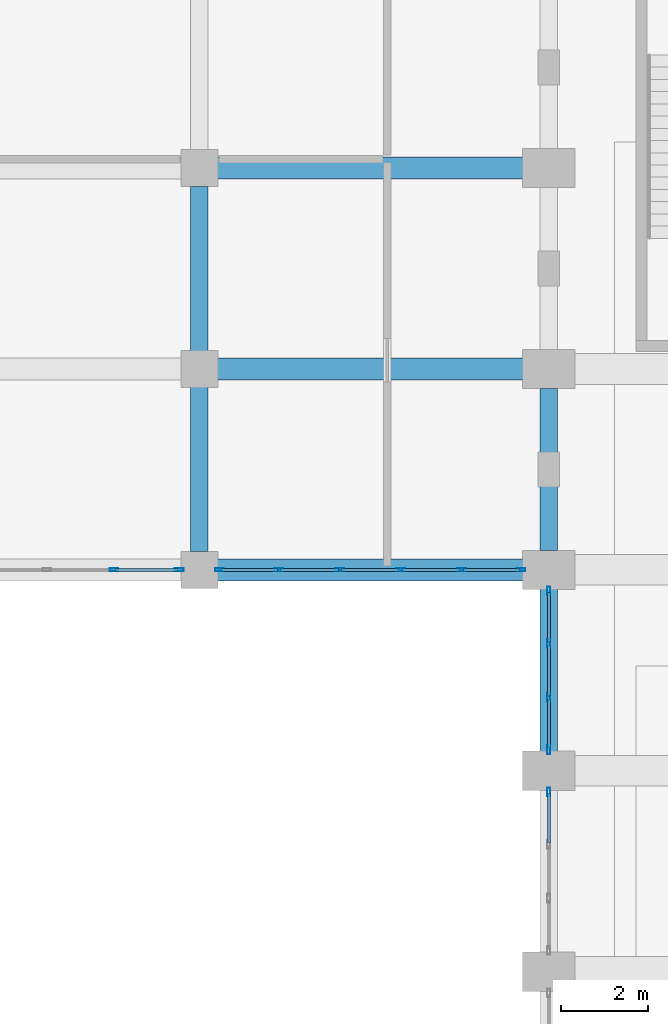
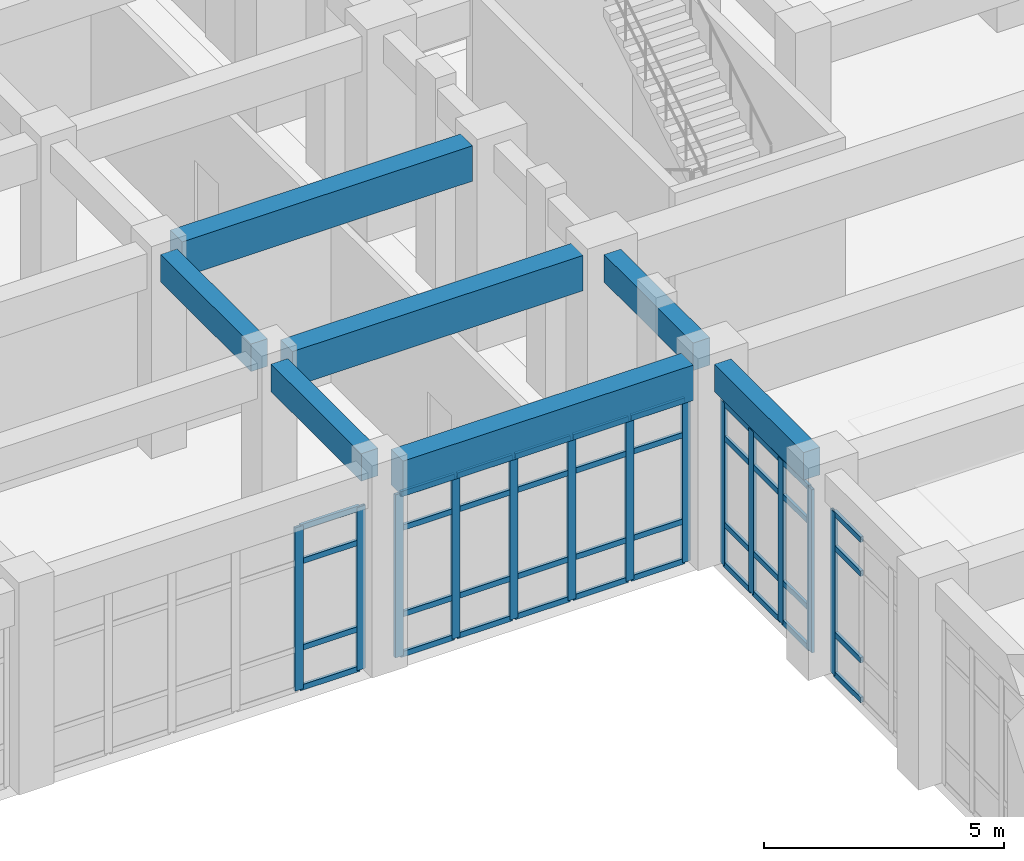
# One storey, part 24 of 84: 53 members, 7 beams, 4 elements without a shape of their own.
"""IFC4 building model written with IfcOpenShell, lengths in metres."""

from ifc_helpers import new_model, si_unit, direction, frame, origin, origin_2d, place, context, subcontext, project, spatial, rectangle, hollow_rectangle, extrude, material, layer, layer_set, material_profile, profile_set, type_object, element, aggregate, save


model = new_model("IFC4")

# Units and contexts
model_context = context("Model", 3, precision=1e-05, world=origin(), true_north=direction((0.0, 1.0)))
body_context = subcontext(model_context, "Body", "Model", "MODEL_VIEW")
ifc_project = project(units=[si_unit("LENGTHUNIT", "METRE"), si_unit("AREAUNIT", "SQUARE_METRE"), si_unit("VOLUMEUNIT", "CUBIC_METRE"), si_unit("PLANEANGLEUNIT", "RADIAN"), si_unit("MASSUNIT", "GRAM", prefix="KILO")], contexts=[model_context])

# Site, building, storey
site_placement = place(None, origin())
site = spatial("IfcSite", under=ifc_project, at=site_placement, CompositionType="ELEMENT")
building_placement = place(site_placement, origin())
building = spatial("IfcBuilding", under=site, at=building_placement, Name="Muzn Square Opera House", CompositionType="ELEMENT")
storey_placement = place(building_placement, origin())
storey = spatial("IfcBuildingStorey", under=building, at=storey_placement, Name="L00", CompositionType="ELEMENT", Elevation=0.0)

# Curtain wall, member
ifc_material_1 = material(Name="Low-E laminated acoustic double glazing", Category="glass")
ifc_layer_1 = layer(ifc_material_1, 0.159912109375, Name="Low-E laminated acoustic double glazing", Category="glass")
ifc_layer_set_1 = layer_set([ifc_layer_1], Name="Low-E laminated acoustic double glazing")
curtain_wall_type_1 = type_object("IfcCurtainWallType", Name="Glazed Curtain Wall WestVaultCourt 3700x4150", PredefinedType="USERDEFINED", material=ifc_layer_set_1)
curtain_wall_1_placement = place(storey_placement, origin())
curtain_wall_1 = element("IfcCurtainWall", 1, at=curtain_wall_1_placement, inside=storey, type_object=curtain_wall_type_1, Name="Glazed Curtain Wall CW-L00-035", ObjectType="GLAZED CURTAIN WALL", PredefinedType="USERDEFINED")
ifc_material_2 = material(Name="Anodised bronze aluminium 6063-T6", Category="metal")
ifc_material_profile_1 = material_profile(ifc_material_2, hollow_rectangle(XDim=0.070068359375, YDim=0.199951171875, WallThickness=0.0048828125, at=origin_2d()), Name="ALU 200x70x5", Category="metal")
ifc_profile_set_1 = profile_set([ifc_material_profile_1], Name="Anodised bronze aluminium 6063-T6")
member_type_1 = type_object("IfcMemberType", Name="Curtain Wall Mullion 200x70", PredefinedType="MULLION", material=ifc_profile_set_1)
member_1_placement = place(storey_placement, frame((43.0, 49.114990234375, 0.0), z_axis=(0.0, 0.0, 1.0), x_axis=(-1.0, 0.0, 0.0)))
member_1 = element("IfcMember", 2, at=member_1_placement, type_object=member_type_1, Name="CW-WVC-37x41 mullion 4", PredefinedType="MULLION", context=body_context, shape_type="SweptSolid", body=[
    extrude(hollow_rectangle(XDim=0.070068359375, YDim=0.199951171875, WallThickness=0.0048828125, at=origin_2d()), origin(), (0.0, 0.0, 1.0), 4.14990234375),
])

# Curtain wall, members
curtain_wall_2_placement = place(storey_placement, origin())
curtain_wall_2 = element("IfcCurtainWall", 3, at=curtain_wall_2_placement, inside=storey, type_object=curtain_wall_type_1, Name="Glazed Curtain Wall CW-L00-037", ObjectType="GLAZED CURTAIN WALL", PredefinedType="USERDEFINED")
member_2_placement = place(storey_placement, frame((43.0, 50.0849609375, 0.0), z_axis=(0.0, 0.0, 1.0), x_axis=(-1.0, 0.0, 0.0)))
member_2 = element("IfcMember", 4, at=member_2_placement, type_object=member_type_1, Name="CW-WVC-37x41 mullion 1", PredefinedType="MULLION", context=body_context, shape_type="SweptSolid", body=[
    extrude(hollow_rectangle(XDim=0.070068359375, YDim=0.199951171875, WallThickness=0.0048828125, at=origin_2d()), origin(), (0.0, 0.0, 1.0), 4.14990234375),
])
member_3_placement = place(storey_placement, frame((43.0, 51.283447265625, 0.0), z_axis=(0.0, 0.0, 1.0), x_axis=(-1.0, 0.0, 0.0)))
member_3 = element("IfcMember", 5, at=member_3_placement, type_object=member_type_1, Name="CW-WVC-37x41 mullion 2", PredefinedType="MULLION", context=body_context, shape_type="SweptSolid", body=[
    extrude(hollow_rectangle(XDim=0.070068359375, YDim=0.199951171875, WallThickness=0.0048828125, at=origin_2d()), origin(), (0.0, 0.0, 1.0), 4.14990234375),
])
member_4_placement = place(storey_placement, frame((43.0, 52.5166015625, 0.0), z_axis=(0.0, 0.0, 1.0), x_axis=(-1.0, 0.0, 0.0)))
member_4 = element("IfcMember", 6, at=member_4_placement, type_object=member_type_1, Name="CW-WVC-37x41 mullion 3", PredefinedType="MULLION", context=body_context, shape_type="SweptSolid", body=[
    extrude(hollow_rectangle(XDim=0.070068359375, YDim=0.199951171875, WallThickness=0.0048828125, at=origin_2d()), origin(), (0.0, 0.0, 1.0), 4.14990234375),
])
member_5_placement = place(storey_placement, frame((43.0, 53.715087890625, 0.0), z_axis=(0.0, 0.0, 1.0), x_axis=(-1.0, 0.0, 0.0)))
member_5 = element("IfcMember", 7, at=member_5_placement, type_object=member_type_1, Name="CW-WVC-37x41 mullion 4", PredefinedType="MULLION", context=body_context, shape_type="SweptSolid", body=[
    extrude(hollow_rectangle(XDim=0.070068359375, YDim=0.199951171875, WallThickness=0.0048828125, at=origin_2d()), origin(), (0.0, 0.0, 1.0), 4.14990234375),
])

ifc_layer_2 = layer(ifc_material_1, 0.159912109375, Name="Low-E laminated acoustic double glazing", Category="glass")
ifc_layer_set_2 = layer_set([ifc_layer_2], Name="Low-E laminated acoustic double glazing")
curtain_wall_type_2 = type_object("IfcCurtainWallType", Name="Glazed Curtain Wall WestCloisterN 7650x4150", PredefinedType="USERDEFINED", material=ifc_layer_set_2)
curtain_wall_3_placement = place(storey_placement, origin())
curtain_wall_3 = element("IfcCurtainWall", 8, at=curtain_wall_3_placement, inside=storey, type_object=curtain_wall_type_2, Name="Glazed Curtain Wall CW-L00-072", ObjectType="GLAZED CURTAIN WALL", PredefinedType="USERDEFINED")
member_6_placement = place(storey_placement, frame((33.044921875, 54.199951171875, 0.0), z_axis=(0.0, 0.0, 1.0), x_axis=(0.0, 1.0, 0.0)))
member_6 = element("IfcMember", 9, at=member_6_placement, type_object=member_type_1, Name="CW-WCN-76x41 mullion 5", PredefinedType="MULLION", context=body_context, shape_type="SweptSolid", body=[
    extrude(hollow_rectangle(XDim=0.070068359375, YDim=0.199951171875, WallThickness=0.0048828125, at=origin_2d()), origin(), (0.0, 0.0, 1.0), 4.14990234375),
])
member_7_placement = place(storey_placement, frame((34.5400390625, 54.199951171875, 0.0), z_axis=(0.0, 0.0, 1.0), x_axis=(0.0, 1.0, 0.0)))
member_7 = element("IfcMember", 10, at=member_7_placement, type_object=member_type_1, Name="CW-WCN-76x41 mullion 6", PredefinedType="MULLION", context=body_context, shape_type="SweptSolid", body=[
    extrude(hollow_rectangle(XDim=0.070068359375, YDim=0.199951171875, WallThickness=0.0048828125, at=origin_2d()), origin(), (0.0, 0.0, 1.0), 4.14990234375),
])

ifc_layer_3 = layer(ifc_material_1, 0.159912109375, Name="Low-E laminated acoustic double glazing", Category="glass")
ifc_layer_set_3 = layer_set([ifc_layer_3], Name="Low-E laminated acoustic double glazing")
curtain_wall_type_3 = type_object("IfcCurtainWallType", Name="Glazed Curtain Wall WestCloisterN 6975x4150", PredefinedType="USERDEFINED", material=ifc_layer_set_3)
curtain_wall_4_placement = place(storey_placement, origin())
curtain_wall_4 = element("IfcCurtainWall", 11, at=curtain_wall_4_placement, inside=storey, type_object=curtain_wall_type_3, Name="Glazed Curtain Wall CW-L00-074", ObjectType="GLAZED CURTAIN WALL", PredefinedType="USERDEFINED")
member_8_placement = place(storey_placement, frame((35.4599609375, 54.199951171875, 0.0), z_axis=(0.0, 0.0, 1.0), x_axis=(0.0, 1.0, 0.0)))
member_8 = element("IfcMember", 12, at=member_8_placement, type_object=member_type_1, Name="CW-WCN-69x41 mullion 1", PredefinedType="MULLION", context=body_context, shape_type="SweptSolid", body=[
    extrude(hollow_rectangle(XDim=0.070068359375, YDim=0.199951171875, WallThickness=0.0048828125, at=origin_2d()), origin(), (0.0, 0.0, 1.0), 4.14990234375),
])
member_9_placement = place(storey_placement, frame((36.820068359375, 54.199951171875, 0.0), z_axis=(0.0, 0.0, 1.0), x_axis=(0.0, 1.0, 0.0)))
member_9 = element("IfcMember", 13, at=member_9_placement, type_object=member_type_1, Name="CW-WCN-69x41 mullion 2", PredefinedType="MULLION", context=body_context, shape_type="SweptSolid", body=[
    extrude(hollow_rectangle(XDim=0.070068359375, YDim=0.199951171875, WallThickness=0.0048828125, at=origin_2d()), origin(), (0.0, 0.0, 1.0), 4.14990234375),
])
member_10_placement = place(storey_placement, frame((38.215087890625, 54.199951171875, 0.0), z_axis=(0.0, 0.0, 1.0), x_axis=(0.0, 1.0, 0.0)))
member_10 = element("IfcMember", 14, at=member_10_placement, type_object=member_type_1, Name="CW-WCN-69x41 mullion 3", PredefinedType="MULLION", context=body_context, shape_type="SweptSolid", body=[
    extrude(hollow_rectangle(XDim=0.070068359375, YDim=0.199951171875, WallThickness=0.0048828125, at=origin_2d()), origin(), (0.0, 0.0, 1.0), 4.14990234375),
])
member_11_placement = place(storey_placement, frame((39.610107421875, 54.199951171875, 0.0), z_axis=(0.0, 0.0, 1.0), x_axis=(0.0, 1.0, 0.0)))
member_11 = element("IfcMember", 15, at=member_11_placement, type_object=member_type_1, Name="CW-WCN-69x41 mullion 4", PredefinedType="MULLION", context=body_context, shape_type="SweptSolid", body=[
    extrude(hollow_rectangle(XDim=0.070068359375, YDim=0.199951171875, WallThickness=0.0048828125, at=origin_2d()), origin(), (0.0, 0.0, 1.0), 4.14990234375),
])
member_12_placement = place(storey_placement, frame((41.0048828125, 54.199951171875, 0.0), z_axis=(0.0, 0.0, 1.0), x_axis=(0.0, 1.0, 0.0)))
member_12 = element("IfcMember", 16, at=member_12_placement, type_object=member_type_1, Name="CW-WCN-69x41 mullion 5", PredefinedType="MULLION", context=body_context, shape_type="SweptSolid", body=[
    extrude(hollow_rectangle(XDim=0.070068359375, YDim=0.199951171875, WallThickness=0.0048828125, at=origin_2d()), origin(), (0.0, 0.0, 1.0), 4.14990234375),
])
member_13_placement = place(storey_placement, frame((42.364990234375, 54.199951171875, 0.0), z_axis=(0.0, 0.0, 1.0), x_axis=(0.0, 1.0, 0.0)))
member_13 = element("IfcMember", 17, at=member_13_placement, type_object=member_type_1, Name="CW-WCN-69x41 mullion 6", PredefinedType="MULLION", context=body_context, shape_type="SweptSolid", body=[
    extrude(hollow_rectangle(XDim=0.070068359375, YDim=0.199951171875, WallThickness=0.0048828125, at=origin_2d()), origin(), (0.0, 0.0, 1.0), 4.14990234375),
])

# Member
ifc_material_profile_2 = material_profile(ifc_material_2, hollow_rectangle(XDim=0.070068359375, YDim=0.139892578125, WallThickness=0.00390625, at=origin_2d()), Name="ALU 140x70x4", Category="metal")
ifc_profile_set_2 = profile_set([ifc_material_profile_2], Name="Anodised bronze aluminium 6063-T6")
member_type_2 = type_object("IfcMemberType", Name="Curtain Wall Transom 140x70", PredefinedType="USERDEFINED", material=ifc_profile_set_2)
member_14_placement = place(storey_placement, frame((43.0, 47.95166015625, 0.034912109375), z_axis=(0.0, 1.0, 0.0), x_axis=(-1.0, 0.0, 0.0)))
member_14 = element("IfcMember", 18, at=member_14_placement, type_object=member_type_2, Name="CW-WVC-37x41 transom 3.1", ObjectType="TRANSOM", PredefinedType="USERDEFINED", context=body_context, shape_type="SweptSolid", body=[
    extrude(hollow_rectangle(XDim=0.070068359375, YDim=0.139892578125, WallThickness=0.00390625, at=origin_2d()), origin(), (0.0, 0.0, 1.0), 1.12841796875),
])

member_15_placement = place(storey_placement, frame((43.0, 47.95166015625, 1.050048828125), z_axis=(0.0, 1.0, 0.0), x_axis=(-1.0, 0.0, 0.0)))
member_15 = element("IfcMember", 19, at=member_15_placement, type_object=member_type_2, Name="CW-WVC-37x41 transom 3.2", ObjectType="TRANSOM", PredefinedType="USERDEFINED", context=body_context, shape_type="SweptSolid", body=[
    extrude(hollow_rectangle(XDim=0.070068359375, YDim=0.139892578125, WallThickness=0.00390625, at=origin_2d()), origin(), (0.0, 0.0, 1.0), 1.12841796875),
])

member_16_placement = place(storey_placement, frame((43.0, 47.95166015625, 3.25), z_axis=(0.0, 1.0, 0.0), x_axis=(-1.0, 0.0, 0.0)))
member_16 = element("IfcMember", 20, at=member_16_placement, type_object=member_type_2, Name="CW-WVC-37x41 transom 3.3", ObjectType="TRANSOM", PredefinedType="USERDEFINED", context=body_context, shape_type="SweptSolid", body=[
    extrude(hollow_rectangle(XDim=0.070068359375, YDim=0.139892578125, WallThickness=0.00390625, at=origin_2d()), origin(), (0.0, 0.0, 1.0), 1.12841796875),
])

member_17_placement = place(storey_placement, frame((43.0, 47.95166015625, 4.114990234375), z_axis=(0.0, 1.0, 0.0), x_axis=(-1.0, 0.0, 0.0)))
member_17 = element("IfcMember", 21, at=member_17_placement, type_object=member_type_2, Name="CW-WVC-37x41 transom 3.4", ObjectType="TRANSOM", PredefinedType="USERDEFINED", context=body_context, shape_type="SweptSolid", body=[
    extrude(hollow_rectangle(XDim=0.070068359375, YDim=0.139892578125, WallThickness=0.00390625, at=origin_2d()), origin(), (0.0, 0.0, 1.0), 1.12841796875),
])

aggregate(curtain_wall_1, [member_1, member_14, member_15, member_16, member_17])

member_18_placement = place(storey_placement, frame((43.0, 50.1201171875, 0.034912109375), z_axis=(0.0, 1.0, 0.0), x_axis=(-1.0, 0.0, 0.0)))
member_18 = element("IfcMember", 22, at=member_18_placement, type_object=member_type_2, Name="CW-WVC-37x41 transom 1.1", ObjectType="TRANSOM", PredefinedType="USERDEFINED", context=body_context, shape_type="SweptSolid", body=[
    extrude(hollow_rectangle(XDim=0.070068359375, YDim=0.139892578125, WallThickness=0.00390625, at=origin_2d()), origin(), (0.0, 0.0, 1.0), 1.128173828125),
])

member_19_placement = place(storey_placement, frame((43.0, 50.1201171875, 1.050048828125), z_axis=(0.0, 1.0, 0.0), x_axis=(-1.0, 0.0, 0.0)))
member_19 = element("IfcMember", 23, at=member_19_placement, type_object=member_type_2, Name="CW-WVC-37x41 transom 1.2", ObjectType="TRANSOM", PredefinedType="USERDEFINED", context=body_context, shape_type="SweptSolid", body=[
    extrude(hollow_rectangle(XDim=0.070068359375, YDim=0.139892578125, WallThickness=0.00390625, at=origin_2d()), origin(), (0.0, 0.0, 1.0), 1.128173828125),
])

member_20_placement = place(storey_placement, frame((43.0, 50.1201171875, 3.25), z_axis=(0.0, 1.0, 0.0), x_axis=(-1.0, 0.0, 0.0)))
member_20 = element("IfcMember", 24, at=member_20_placement, type_object=member_type_2, Name="CW-WVC-37x41 transom 1.3", ObjectType="TRANSOM", PredefinedType="USERDEFINED", context=body_context, shape_type="SweptSolid", body=[
    extrude(hollow_rectangle(XDim=0.070068359375, YDim=0.139892578125, WallThickness=0.00390625, at=origin_2d()), origin(), (0.0, 0.0, 1.0), 1.128173828125),
])

member_21_placement = place(storey_placement, frame((43.0, 50.1201171875, 4.114990234375), z_axis=(0.0, 1.0, 0.0), x_axis=(-1.0, 0.0, 0.0)))
member_21 = element("IfcMember", 25, at=member_21_placement, type_object=member_type_2, Name="CW-WVC-37x41 transom 1.4", ObjectType="TRANSOM", PredefinedType="USERDEFINED", context=body_context, shape_type="SweptSolid", body=[
    extrude(hollow_rectangle(XDim=0.070068359375, YDim=0.139892578125, WallThickness=0.00390625, at=origin_2d()), origin(), (0.0, 0.0, 1.0), 1.128173828125),
])

member_22_placement = place(storey_placement, frame((43.0, 51.318359375, 0.034912109375), z_axis=(0.0, 1.0, 0.0), x_axis=(-1.0, 0.0, 0.0)))
member_22 = element("IfcMember", 26, at=member_22_placement, type_object=member_type_2, Name="CW-WVC-37x41 transom 2.1", ObjectType="TRANSOM", PredefinedType="USERDEFINED", context=body_context, shape_type="SweptSolid", body=[
    extrude(hollow_rectangle(XDim=0.070068359375, YDim=0.139892578125, WallThickness=0.00390625, at=origin_2d()), origin(), (0.0, 0.0, 1.0), 1.163330078125),
])

member_23_placement = place(storey_placement, frame((43.0, 51.318359375, 1.050048828125), z_axis=(0.0, 1.0, 0.0), x_axis=(-1.0, 0.0, 0.0)))
member_23 = element("IfcMember", 27, at=member_23_placement, type_object=member_type_2, Name="CW-WVC-37x41 transom 2.2", ObjectType="TRANSOM", PredefinedType="USERDEFINED", context=body_context, shape_type="SweptSolid", body=[
    extrude(hollow_rectangle(XDim=0.070068359375, YDim=0.139892578125, WallThickness=0.00390625, at=origin_2d()), origin(), (0.0, 0.0, 1.0), 1.163330078125),
])

member_24_placement = place(storey_placement, frame((43.0, 51.318359375, 3.25), z_axis=(0.0, 1.0, 0.0), x_axis=(-1.0, 0.0, 0.0)))
member_24 = element("IfcMember", 28, at=member_24_placement, type_object=member_type_2, Name="CW-WVC-37x41 transom 2.3", ObjectType="TRANSOM", PredefinedType="USERDEFINED", context=body_context, shape_type="SweptSolid", body=[
    extrude(hollow_rectangle(XDim=0.070068359375, YDim=0.139892578125, WallThickness=0.00390625, at=origin_2d()), origin(), (0.0, 0.0, 1.0), 1.163330078125),
])

member_25_placement = place(storey_placement, frame((43.0, 51.318359375, 4.114990234375), z_axis=(0.0, 1.0, 0.0), x_axis=(-1.0, 0.0, 0.0)))
member_25 = element("IfcMember", 29, at=member_25_placement, type_object=member_type_2, Name="CW-WVC-37x41 transom 2.4", ObjectType="TRANSOM", PredefinedType="USERDEFINED", context=body_context, shape_type="SweptSolid", body=[
    extrude(hollow_rectangle(XDim=0.070068359375, YDim=0.139892578125, WallThickness=0.00390625, at=origin_2d()), origin(), (0.0, 0.0, 1.0), 1.163330078125),
])

member_26_placement = place(storey_placement, frame((43.0, 52.5517578125, 0.034912109375), z_axis=(0.0, 1.0, 0.0), x_axis=(-1.0, 0.0, 0.0)))
member_26 = element("IfcMember", 30, at=member_26_placement, type_object=member_type_2, Name="CW-WVC-37x41 transom 3.1", ObjectType="TRANSOM", PredefinedType="USERDEFINED", context=body_context, shape_type="SweptSolid", body=[
    extrude(hollow_rectangle(XDim=0.070068359375, YDim=0.139892578125, WallThickness=0.00390625, at=origin_2d()), origin(), (0.0, 0.0, 1.0), 1.128173828125),
])

member_27_placement = place(storey_placement, frame((43.0, 52.5517578125, 1.050048828125), z_axis=(0.0, 1.0, 0.0), x_axis=(-1.0, 0.0, 0.0)))
member_27 = element("IfcMember", 31, at=member_27_placement, type_object=member_type_2, Name="CW-WVC-37x41 transom 3.2", ObjectType="TRANSOM", PredefinedType="USERDEFINED", context=body_context, shape_type="SweptSolid", body=[
    extrude(hollow_rectangle(XDim=0.070068359375, YDim=0.139892578125, WallThickness=0.00390625, at=origin_2d()), origin(), (0.0, 0.0, 1.0), 1.128173828125),
])

member_28_placement = place(storey_placement, frame((43.0, 52.5517578125, 3.25), z_axis=(0.0, 1.0, 0.0), x_axis=(-1.0, 0.0, 0.0)))
member_28 = element("IfcMember", 32, at=member_28_placement, type_object=member_type_2, Name="CW-WVC-37x41 transom 3.3", ObjectType="TRANSOM", PredefinedType="USERDEFINED", context=body_context, shape_type="SweptSolid", body=[
    extrude(hollow_rectangle(XDim=0.070068359375, YDim=0.139892578125, WallThickness=0.00390625, at=origin_2d()), origin(), (0.0, 0.0, 1.0), 1.128173828125),
])

member_29_placement = place(storey_placement, frame((43.0, 52.5517578125, 4.114990234375), z_axis=(0.0, 1.0, 0.0), x_axis=(-1.0, 0.0, 0.0)))
member_29 = element("IfcMember", 33, at=member_29_placement, type_object=member_type_2, Name="CW-WVC-37x41 transom 3.4", ObjectType="TRANSOM", PredefinedType="USERDEFINED", context=body_context, shape_type="SweptSolid", body=[
    extrude(hollow_rectangle(XDim=0.070068359375, YDim=0.139892578125, WallThickness=0.00390625, at=origin_2d()), origin(), (0.0, 0.0, 1.0), 1.128173828125),
])

aggregate(curtain_wall_2, [member_2, member_3, member_4, member_5, member_18, member_19, member_20, member_21, member_22, member_23, member_24, member_25, member_26, member_27, member_28, member_29])

member_30_placement = place(storey_placement, frame((33.080078125, 54.199951171875, 0.034912109375), z_axis=(1.0, 0.0, 0.0), x_axis=(0.0, 1.0, 0.0)))
member_30 = element("IfcMember", 34, at=member_30_placement, type_object=member_type_2, Name="CW-WCN-76x41 transom 5.1", ObjectType="TRANSOM", PredefinedType="USERDEFINED", context=body_context, shape_type="SweptSolid", body=[
    extrude(hollow_rectangle(XDim=0.070068359375, YDim=0.139892578125, WallThickness=0.00390625, at=origin_2d()), origin(), (0.0, 0.0, 1.0), 1.4248046875),
])

member_31_placement = place(storey_placement, frame((33.080078125, 54.199951171875, 1.050048828125), z_axis=(1.0, 0.0, 0.0), x_axis=(0.0, 1.0, 0.0)))
member_31 = element("IfcMember", 35, at=member_31_placement, type_object=member_type_2, Name="CW-WCN-76x41 transom 5.2", ObjectType="TRANSOM", PredefinedType="USERDEFINED", context=body_context, shape_type="SweptSolid", body=[
    extrude(hollow_rectangle(XDim=0.070068359375, YDim=0.139892578125, WallThickness=0.00390625, at=origin_2d()), origin(), (0.0, 0.0, 1.0), 1.4248046875),
])

member_32_placement = place(storey_placement, frame((33.080078125, 54.199951171875, 3.25), z_axis=(1.0, 0.0, 0.0), x_axis=(0.0, 1.0, 0.0)))
member_32 = element("IfcMember", 36, at=member_32_placement, type_object=member_type_2, Name="CW-WCN-76x41 transom 5.3", ObjectType="TRANSOM", PredefinedType="USERDEFINED", context=body_context, shape_type="SweptSolid", body=[
    extrude(hollow_rectangle(XDim=0.070068359375, YDim=0.139892578125, WallThickness=0.00390625, at=origin_2d()), origin(), (0.0, 0.0, 1.0), 1.4248046875),
])

member_33_placement = place(storey_placement, frame((33.080078125, 54.199951171875, 4.114990234375), z_axis=(1.0, 0.0, 0.0), x_axis=(0.0, 1.0, 0.0)))
member_33 = element("IfcMember", 37, at=member_33_placement, type_object=member_type_2, Name="CW-WCN-76x41 transom 5.4", ObjectType="TRANSOM", PredefinedType="USERDEFINED", context=body_context, shape_type="SweptSolid", body=[
    extrude(hollow_rectangle(XDim=0.070068359375, YDim=0.139892578125, WallThickness=0.00390625, at=origin_2d()), origin(), (0.0, 0.0, 1.0), 1.4248046875),
])

aggregate(curtain_wall_3, [member_6, member_7, member_30, member_31, member_32, member_33])

member_34_placement = place(storey_placement, frame((35.4951171875, 54.199951171875, 0.034912109375), z_axis=(1.0, 0.0, 0.0), x_axis=(0.0, 1.0, 0.0)))
member_34 = element("IfcMember", 38, at=member_34_placement, type_object=member_type_2, Name="CW-WCN-69x41 transom 1.1", ObjectType="TRANSOM", PredefinedType="USERDEFINED", context=body_context, shape_type="SweptSolid", body=[
    extrude(hollow_rectangle(XDim=0.070068359375, YDim=0.139892578125, WallThickness=0.00390625, at=origin_2d()), origin(), (0.0, 0.0, 1.0), 1.289794921875),
])

member_35_placement = place(storey_placement, frame((35.4951171875, 54.199951171875, 1.050048828125), z_axis=(1.0, 0.0, 0.0), x_axis=(0.0, 1.0, 0.0)))
member_35 = element("IfcMember", 39, at=member_35_placement, type_object=member_type_2, Name="CW-WCN-69x41 transom 1.2", ObjectType="TRANSOM", PredefinedType="USERDEFINED", context=body_context, shape_type="SweptSolid", body=[
    extrude(hollow_rectangle(XDim=0.070068359375, YDim=0.139892578125, WallThickness=0.00390625, at=origin_2d()), origin(), (0.0, 0.0, 1.0), 1.289794921875),
])

member_36_placement = place(storey_placement, frame((35.4951171875, 54.199951171875, 3.25), z_axis=(1.0, 0.0, 0.0), x_axis=(0.0, 1.0, 0.0)))
member_36 = element("IfcMember", 40, at=member_36_placement, type_object=member_type_2, Name="CW-WCN-69x41 transom 1.3", ObjectType="TRANSOM", PredefinedType="USERDEFINED", context=body_context, shape_type="SweptSolid", body=[
    extrude(hollow_rectangle(XDim=0.070068359375, YDim=0.139892578125, WallThickness=0.00390625, at=origin_2d()), origin(), (0.0, 0.0, 1.0), 1.289794921875),
])

member_37_placement = place(storey_placement, frame((35.4951171875, 54.199951171875, 4.114990234375), z_axis=(1.0, 0.0, 0.0), x_axis=(0.0, 1.0, 0.0)))
member_37 = element("IfcMember", 41, at=member_37_placement, type_object=member_type_2, Name="CW-WCN-69x41 transom 1.4", ObjectType="TRANSOM", PredefinedType="USERDEFINED", context=body_context, shape_type="SweptSolid", body=[
    extrude(hollow_rectangle(XDim=0.070068359375, YDim=0.139892578125, WallThickness=0.00390625, at=origin_2d()), origin(), (0.0, 0.0, 1.0), 1.289794921875),
])

member_38_placement = place(storey_placement, frame((36.85498046875, 54.199951171875, 0.034912109375), z_axis=(1.0, 0.0, 0.0), x_axis=(0.0, 1.0, 0.0)))
member_38 = element("IfcMember", 42, at=member_38_placement, type_object=member_type_2, Name="CW-WCN-69x41 transom 2.1", ObjectType="TRANSOM", PredefinedType="USERDEFINED", context=body_context, shape_type="SweptSolid", body=[
    extrude(hollow_rectangle(XDim=0.070068359375, YDim=0.139892578125, WallThickness=0.00390625, at=origin_2d()), origin(), (0.0, 0.0, 1.0), 1.324951171875),
])

member_39_placement = place(storey_placement, frame((36.85498046875, 54.199951171875, 1.050048828125), z_axis=(1.0, 0.0, 0.0), x_axis=(0.0, 1.0, 0.0)))
member_39 = element("IfcMember", 43, at=member_39_placement, type_object=member_type_2, Name="CW-WCN-69x41 transom 2.2", ObjectType="TRANSOM", PredefinedType="USERDEFINED", context=body_context, shape_type="SweptSolid", body=[
    extrude(hollow_rectangle(XDim=0.070068359375, YDim=0.139892578125, WallThickness=0.00390625, at=origin_2d()), origin(), (0.0, 0.0, 1.0), 1.324951171875),
])

member_40_placement = place(storey_placement, frame((36.85498046875, 54.199951171875, 3.25), z_axis=(1.0, 0.0, 0.0), x_axis=(0.0, 1.0, 0.0)))
member_40 = element("IfcMember", 44, at=member_40_placement, type_object=member_type_2, Name="CW-WCN-69x41 transom 2.3", ObjectType="TRANSOM", PredefinedType="USERDEFINED", context=body_context, shape_type="SweptSolid", body=[
    extrude(hollow_rectangle(XDim=0.070068359375, YDim=0.139892578125, WallThickness=0.00390625, at=origin_2d()), origin(), (0.0, 0.0, 1.0), 1.324951171875),
])

member_41_placement = place(storey_placement, frame((36.85498046875, 54.199951171875, 4.114990234375), z_axis=(1.0, 0.0, 0.0), x_axis=(0.0, 1.0, 0.0)))
member_41 = element("IfcMember", 45, at=member_41_placement, type_object=member_type_2, Name="CW-WCN-69x41 transom 2.4", ObjectType="TRANSOM", PredefinedType="USERDEFINED", context=body_context, shape_type="SweptSolid", body=[
    extrude(hollow_rectangle(XDim=0.070068359375, YDim=0.139892578125, WallThickness=0.00390625, at=origin_2d()), origin(), (0.0, 0.0, 1.0), 1.324951171875),
])

member_42_placement = place(storey_placement, frame((38.25, 54.199951171875, 0.034912109375), z_axis=(1.0, 0.0, 0.0), x_axis=(0.0, 1.0, 0.0)))
member_42 = element("IfcMember", 46, at=member_42_placement, type_object=member_type_2, Name="CW-WCN-69x41 transom 3.1", ObjectType="TRANSOM", PredefinedType="USERDEFINED", context=body_context, shape_type="SweptSolid", body=[
    extrude(hollow_rectangle(XDim=0.070068359375, YDim=0.139892578125, WallThickness=0.00390625, at=origin_2d()), origin(), (0.0, 0.0, 1.0), 1.324951171875),
])

member_43_placement = place(storey_placement, frame((38.25, 54.199951171875, 1.050048828125), z_axis=(1.0, 0.0, 0.0), x_axis=(0.0, 1.0, 0.0)))
member_43 = element("IfcMember", 47, at=member_43_placement, type_object=member_type_2, Name="CW-WCN-69x41 transom 3.2", ObjectType="TRANSOM", PredefinedType="USERDEFINED", context=body_context, shape_type="SweptSolid", body=[
    extrude(hollow_rectangle(XDim=0.070068359375, YDim=0.139892578125, WallThickness=0.00390625, at=origin_2d()), origin(), (0.0, 0.0, 1.0), 1.324951171875),
])

member_44_placement = place(storey_placement, frame((38.25, 54.199951171875, 3.25), z_axis=(1.0, 0.0, 0.0), x_axis=(0.0, 1.0, 0.0)))
member_44 = element("IfcMember", 48, at=member_44_placement, type_object=member_type_2, Name="CW-WCN-69x41 transom 3.3", ObjectType="TRANSOM", PredefinedType="USERDEFINED", context=body_context, shape_type="SweptSolid", body=[
    extrude(hollow_rectangle(XDim=0.070068359375, YDim=0.139892578125, WallThickness=0.00390625, at=origin_2d()), origin(), (0.0, 0.0, 1.0), 1.324951171875),
])

member_45_placement = place(storey_placement, frame((38.25, 54.199951171875, 4.114990234375), z_axis=(1.0, 0.0, 0.0), x_axis=(0.0, 1.0, 0.0)))
member_45 = element("IfcMember", 49, at=member_45_placement, type_object=member_type_2, Name="CW-WCN-69x41 transom 3.4", ObjectType="TRANSOM", PredefinedType="USERDEFINED", context=body_context, shape_type="SweptSolid", body=[
    extrude(hollow_rectangle(XDim=0.070068359375, YDim=0.139892578125, WallThickness=0.00390625, at=origin_2d()), origin(), (0.0, 0.0, 1.0), 1.324951171875),
])

member_46_placement = place(storey_placement, frame((39.64501953125, 54.199951171875, 0.034912109375), z_axis=(1.0, 0.0, 0.0), x_axis=(0.0, 1.0, 0.0)))
member_46 = element("IfcMember", 50, at=member_46_placement, type_object=member_type_2, Name="CW-WCN-69x41 transom 4.1", ObjectType="TRANSOM", PredefinedType="USERDEFINED", context=body_context, shape_type="SweptSolid", body=[
    extrude(hollow_rectangle(XDim=0.070068359375, YDim=0.139892578125, WallThickness=0.00390625, at=origin_2d()), origin(), (0.0, 0.0, 1.0), 1.324951171875),
])

member_47_placement = place(storey_placement, frame((39.64501953125, 54.199951171875, 1.050048828125), z_axis=(1.0, 0.0, 0.0), x_axis=(0.0, 1.0, 0.0)))
member_47 = element("IfcMember", 51, at=member_47_placement, type_object=member_type_2, Name="CW-WCN-69x41 transom 4.2", ObjectType="TRANSOM", PredefinedType="USERDEFINED", context=body_context, shape_type="SweptSolid", body=[
    extrude(hollow_rectangle(XDim=0.070068359375, YDim=0.139892578125, WallThickness=0.00390625, at=origin_2d()), origin(), (0.0, 0.0, 1.0), 1.324951171875),
])

member_48_placement = place(storey_placement, frame((39.64501953125, 54.199951171875, 3.25), z_axis=(1.0, 0.0, 0.0), x_axis=(0.0, 1.0, 0.0)))
member_48 = element("IfcMember", 52, at=member_48_placement, type_object=member_type_2, Name="CW-WCN-69x41 transom 4.3", ObjectType="TRANSOM", PredefinedType="USERDEFINED", context=body_context, shape_type="SweptSolid", body=[
    extrude(hollow_rectangle(XDim=0.070068359375, YDim=0.139892578125, WallThickness=0.00390625, at=origin_2d()), origin(), (0.0, 0.0, 1.0), 1.324951171875),
])

member_49_placement = place(storey_placement, frame((39.64501953125, 54.199951171875, 4.114990234375), z_axis=(1.0, 0.0, 0.0), x_axis=(0.0, 1.0, 0.0)))
member_49 = element("IfcMember", 53, at=member_49_placement, type_object=member_type_2, Name="CW-WCN-69x41 transom 4.4", ObjectType="TRANSOM", PredefinedType="USERDEFINED", context=body_context, shape_type="SweptSolid", body=[
    extrude(hollow_rectangle(XDim=0.070068359375, YDim=0.139892578125, WallThickness=0.00390625, at=origin_2d()), origin(), (0.0, 0.0, 1.0), 1.324951171875),
])

member_50_placement = place(storey_placement, frame((41.0400390625, 54.199951171875, 0.034912109375), z_axis=(1.0, 0.0, 0.0), x_axis=(0.0, 1.0, 0.0)))
member_50 = element("IfcMember", 54, at=member_50_placement, type_object=member_type_2, Name="CW-WCN-69x41 transom 5.1", ObjectType="TRANSOM", PredefinedType="USERDEFINED", context=body_context, shape_type="SweptSolid", body=[
    extrude(hollow_rectangle(XDim=0.070068359375, YDim=0.139892578125, WallThickness=0.00390625, at=origin_2d()), origin(), (0.0, 0.0, 1.0), 1.2900390625),
])

member_51_placement = place(storey_placement, frame((41.0400390625, 54.199951171875, 1.050048828125), z_axis=(1.0, 0.0, 0.0), x_axis=(0.0, 1.0, 0.0)))
member_51 = element("IfcMember", 55, at=member_51_placement, type_object=member_type_2, Name="CW-WCN-69x41 transom 5.2", ObjectType="TRANSOM", PredefinedType="USERDEFINED", context=body_context, shape_type="SweptSolid", body=[
    extrude(hollow_rectangle(XDim=0.070068359375, YDim=0.139892578125, WallThickness=0.00390625, at=origin_2d()), origin(), (0.0, 0.0, 1.0), 1.2900390625),
])

member_52_placement = place(storey_placement, frame((41.0400390625, 54.199951171875, 3.25), z_axis=(1.0, 0.0, 0.0), x_axis=(0.0, 1.0, 0.0)))
member_52 = element("IfcMember", 56, at=member_52_placement, type_object=member_type_2, Name="CW-WCN-69x41 transom 5.3", ObjectType="TRANSOM", PredefinedType="USERDEFINED", context=body_context, shape_type="SweptSolid", body=[
    extrude(hollow_rectangle(XDim=0.070068359375, YDim=0.139892578125, WallThickness=0.00390625, at=origin_2d()), origin(), (0.0, 0.0, 1.0), 1.2900390625),
])

member_53_placement = place(storey_placement, frame((41.0400390625, 54.199951171875, 4.114990234375), z_axis=(1.0, 0.0, 0.0), x_axis=(0.0, 1.0, 0.0)))
member_53 = element("IfcMember", 57, at=member_53_placement, type_object=member_type_2, Name="CW-WCN-69x41 transom 5.4", ObjectType="TRANSOM", PredefinedType="USERDEFINED", context=body_context, shape_type="SweptSolid", body=[
    extrude(hollow_rectangle(XDim=0.070068359375, YDim=0.139892578125, WallThickness=0.00390625, at=origin_2d()), origin(), (0.0, 0.0, 1.0), 1.2900390625),
])

aggregate(curtain_wall_4, [member_8, member_9, member_10, member_11, member_12, member_13, member_34, member_35, member_36, member_37, member_38, member_39, member_40, member_41, member_42, member_43, member_44, member_45, member_46, member_47, member_48, member_49, member_50, member_51, member_52, member_53])

# Beams
ifc_material_3 = material(Name="Concrete C40/50", Category="concrete")
ifc_material_profile_3 = material_profile(ifc_material_3, rectangle(XDim=0.39990234375, YDim=0.699951171875, at=origin_2d()), Name="RCB 400x700", Category="concrete")
ifc_profile_set_3 = profile_set([ifc_material_profile_3], Name="Concrete C40/50")
beam_type_1 = type_object("IfcBeamType", Name="Primary Girder 400x700", PredefinedType="BEAM", material=ifc_profile_set_3)
beam_1_placement = place(storey_placement, frame((35.0, 54.616943359375, 4.77001953125), z_axis=(0.0, 1.0, 0.0), x_axis=(-1.0, 0.0, 0.0)))
element("IfcBeam", 58, at=beam_1_placement, inside=storey, type_object=beam_type_1, Name="Primary Girder BM-L00-BM-PG700-350_546_350_584-1012", PredefinedType="BEAM", context=body_context, shape_type="SweptSolid", body=[
    extrude(rectangle(XDim=0.39990234375, YDim=0.699951171875, at=origin_2d()), origin(), (0.0, 0.0, 1.0), 3.76611328125),
])
beam_2_placement = place(storey_placement, frame((35.0, 59.217041015625, 4.77001953125), z_axis=(0.0, 1.0, 0.0), x_axis=(-1.0, 0.0, 0.0)))
element("IfcBeam", 59, at=beam_2_placement, inside=storey, type_object=beam_type_1, Name="Primary Girder BM-L00-BM-PG700-350_592_350_630-1013", PredefinedType="BEAM", context=body_context, shape_type="SweptSolid", body=[
    extrude(rectangle(XDim=0.39990234375, YDim=0.699951171875, at=origin_2d()), origin(), (0.0, 0.0, 1.0), 3.765869140625),
])
beam_3_placement = place(storey_placement, frame((43.0, 50.0419921875, 4.77001953125), z_axis=(0.0, 1.0, 0.0), x_axis=(-1.0, 0.0, 0.0)))
element("IfcBeam", 60, at=beam_3_placement, inside=storey, type_object=beam_type_1, Name="Primary Girder BM-L00-BM-PG700-430_500_430_538-1029", PredefinedType="BEAM", context=body_context, shape_type="SweptSolid", body=[
    extrude(rectangle(XDim=0.39990234375, YDim=0.699951171875, at=origin_2d()), origin(), (0.0, 0.0, 1.0), 3.716064453125),
])
beam_4_placement = place(storey_placement, frame((43.0, 54.64208984375, 4.77001953125), z_axis=(0.0, 1.0, 0.0), x_axis=(-1.0, 0.0, 0.0)))
element("IfcBeam", 61, at=beam_4_placement, inside=storey, type_object=beam_type_1, Name="Primary Girder BM-L00-BM-PG700-430_546_430_584-1030", PredefinedType="BEAM", context=body_context, shape_type="SweptSolid", body=[
    extrude(rectangle(XDim=0.39990234375, YDim=0.699951171875, at=origin_2d()), origin(), (0.0, 0.0, 1.0), 3.7158203125),
])
ifc_material_profile_4 = material_profile(ifc_material_3, rectangle(XDim=0.5, YDim=0.89990234375, at=origin_2d()), Name="RCB 500x900", Category="concrete")
ifc_profile_set_4 = profile_set([ifc_material_profile_4], Name="Concrete C40/50")
beam_type_2 = type_object("IfcBeamType", Name="Primary Girder 500x900", PredefinedType="BEAM", material=ifc_profile_set_4)
for number, where, z_axis, x_axis, name in (
    (62, (35.4169921875, 54.199951171875, 4.669921875), (1.0, 0.0, 0.0), (0.0, 1.0, 0.0), "Primary Girder BM-L00-BM-PG900-354_542_424_542-843"),
    (63, (35.4169921875, 58.800048828125, 4.669921875), (1.0, 0.0, 0.0), (0.0, 1.0, 0.0), "Primary Girder BM-L00-BM-PG900-354_588_424_588-855"),
    (64, (35.4169921875, 63.39990234375, 4.669921875), (1.0, 0.0, 0.0), (0.0, 1.0, 0.0), "Primary Girder BM-L00-BM-PG900-354_634_424_634-867"),
):
    element("IfcBeam", number, at=place(storey_placement, frame(where, z_axis=z_axis, x_axis=x_axis)), inside=storey, type_object=beam_type_2, Name=name, PredefinedType="BEAM", context=body_context, shape_type="SweptSolid", body=[
        extrude(rectangle(XDim=0.5, YDim=0.89990234375, at=origin_2d()), origin(), (0.0, 0.0, 1.0), 6.990966796875),
    ])

save(model, "model.ifc")
